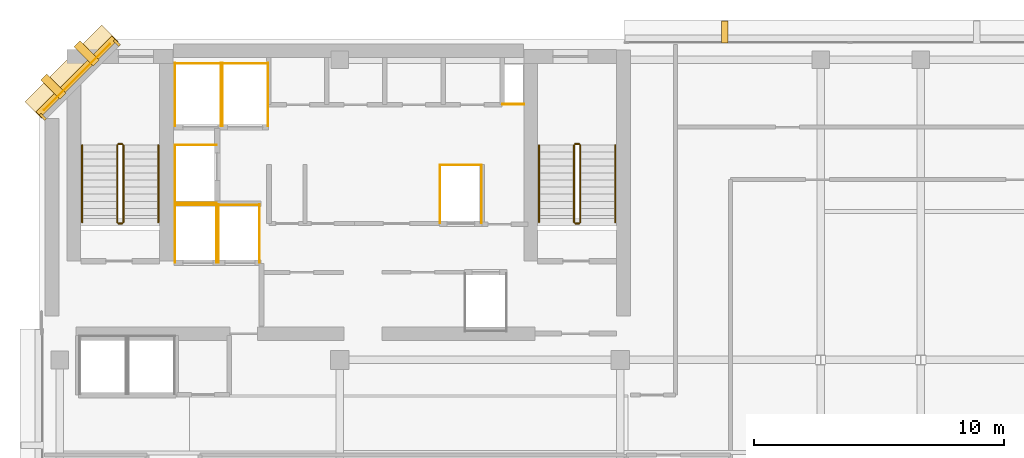
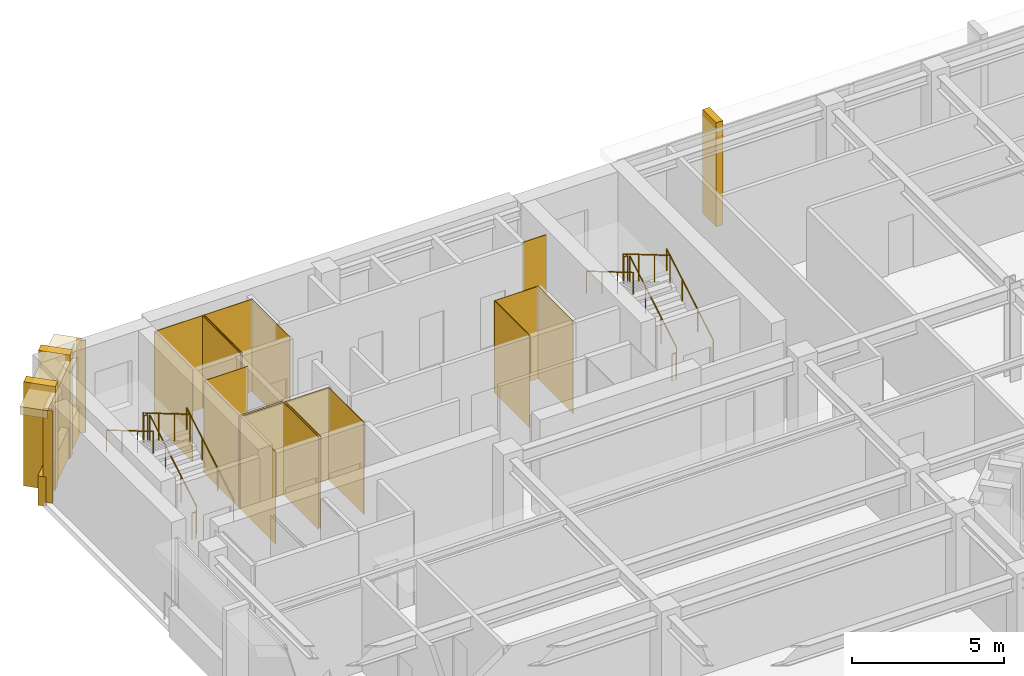
# One storey, part 10 of 11: 27 coverings, 12 railings.
"""IFC4 building model written with IfcOpenShell, lengths in metres."""

from ifc_helpers import new_model, si_unit, direction, frame, origin, origin_2d, place, context, subcontext, project, spatial, polyline, rectangle, circle, outline, extrude, material, layer, layer_set, type_object, element, save


model = new_model("IFC4")

# Units and contexts
model_context = context("Model", 3, precision=1e-05, world=origin(), true_north=direction((0.0, 1.0)))
body_context = subcontext(model_context, "Body", "Model", "MODEL_VIEW")
ifc_project = project(units=[si_unit("LENGTHUNIT", "METRE"), si_unit("AREAUNIT", "SQUARE_METRE"), si_unit("VOLUMEUNIT", "CUBIC_METRE"), si_unit("PLANEANGLEUNIT", "RADIAN"), si_unit("MASSUNIT", "GRAM", prefix="KILO")], contexts=[model_context])

# Site, building, storey
site_placement = place(None, origin())
site = spatial("IfcSite", under=ifc_project, at=site_placement, CompositionType="ELEMENT")
building_placement = place(site_placement, origin())
building = spatial("IfcBuilding", under=site, at=building_placement, Name="Kefirva Bronze Tower", CompositionType="ELEMENT")
storey_placement = place(building_placement, frame((0.0, 0.0, 343.530029296875)))
storey = spatial("IfcBuildingStorey", under=building, at=storey_placement, Name="L84", CompositionType="ELEMENT", Elevation=343.530029296875)

# Coverings
ifc_material_1 = material(Name="Bronze anodised aluminium", Category="aluminium")
ifc_layer_1 = layer(ifc_material_1, 0.02001953125, Name="Bronze anodised aluminium")
ifc_layer_set_1 = layer_set([ifc_layer_1], Name="Bronze anodised aluminium")
covering_type_1 = type_object("IfcCoveringType", Name="Anodised Bronze Spandrel Cladding 20mm", PredefinedType="CLADDING", material=ifc_layer_set_1)
covering_1_placement = place(storey_placement, frame((1.492919921875, 44.507080078125, 3.2900390625), z_axis=(0.0, 0.0, 1.0), x_axis=(-0.707106781187, -0.707106781187, 0.0)))
element("IfcCovering", 1, at=covering_1_placement, inside=storey, type_object=covering_type_1, Name="L84 Bronze Spandrel Cladding 6", PredefinedType="CLADDING", context=body_context, shape_type="SweptSolid", body=[
    extrude(rectangle(XDim=3.719482421875, YDim=0.02001953125, at=origin_2d()), origin(), (0.0, 0.0, 1.0), 0.39990234375),
])
for number, where, z_axis, x_axis, name in (
    (2, (3.08837890625, 45.862060546875, 0.0), (0.0, 0.0, 1.0), (-0.707106781187, -0.707106781187, 0.0), "L84 Facade Joint Closure Panel 6S"),
    (3, (0.137939453125, 42.91162109375, 0.0), (0.0, 0.0, 1.0), (-0.707106781187, -0.707106781187, 0.0), "L84 Facade Joint Closure Panel 6E"),
):
    element("IfcCovering", number, at=place(storey_placement, frame(where, z_axis=z_axis, x_axis=x_axis)), inside=storey, type_object=covering_type_1, Name=name, PredefinedType="CLADDING", context=body_context, shape_type="SweptSolid", body=[
        extrude(rectangle(XDim=0.10009765625, YDim=0.320068359375, at=origin_2d()), origin(), (0.0, 0.0, 1.0), 3.7099609375),
    ])
covering_2_placement = place(storey_placement, frame((1.4716796875, 44.5283203125, -0.16015625), z_axis=(0.0, 0.0, 1.0), x_axis=(-0.707106781187, -0.707106781187, 0.0)))
element("IfcCovering", 4, at=covering_2_placement, inside=storey, type_object=covering_type_1, Name="L84 Streamline Horizontal Spandrel Band 9", PredefinedType="CLADDING", context=body_context, shape_type="SweptSolid", body=[
    extrude(rectangle(XDim=4.28271484375, YDim=0.280029296875, at=origin_2d()), origin(), (0.0, 0.0, 1.0), 1.179931640625),
])
covering_3_placement = place(storey_placement, origin())
element("IfcCovering", 5, at=covering_3_placement, inside=storey, type_object=covering_type_1, Name="L84 Lift FF1 Hoistway Liner N", PredefinedType="CLADDING", context=body_context, shape_type="SweptSolid", body=[
    extrude(outline(polyline([(5.39990234375, 39.389892578125), (7.080078125, 39.389892578125), (7.080078125, 39.409912109375), (5.39990234375, 39.409912109375), (5.39990234375, 39.389892578125)])), origin(), (0.0, 0.0, 1.0), 3.7099609375),
])
covering_4_placement = place(storey_placement, origin())
element("IfcCovering", 6, at=covering_4_placement, inside=storey, type_object=covering_type_1, Name="L84 Lift FF1 Hoistway Liner W", PredefinedType="CLADDING", context=body_context, shape_type="SweptSolid", body=[
    extrude(outline(polyline([(5.409912109375, 37.080078125), (5.429931640625, 37.080078125), (5.429931640625, 39.419921875), (5.409912109375, 39.419921875), (5.409912109375, 37.080078125)])), origin(), (0.0, 0.0, 1.0), 3.7099609375),
])
covering_5_placement = place(storey_placement, origin())
element("IfcCovering", 7, at=covering_5_placement, inside=storey, type_object=covering_type_1, Name="L84 Lift FF1 Hoistway Liner E", PredefinedType="CLADDING", context=body_context, shape_type="SweptSolid", body=[
    extrude(outline(polyline([(7.050048828125, 37.080078125), (7.070068359375, 37.080078125), (7.070068359375, 39.419921875), (7.050048828125, 39.419921875), (7.050048828125, 37.080078125)])), origin(), (0.0, 0.0, 1.0), 3.7099609375),
])
covering_6_placement = place(storey_placement, origin())
element("IfcCovering", 8, at=covering_6_placement, inside=storey, type_object=covering_type_1, Name="L84 Lift FF2 Hoistway Liner N", PredefinedType="CLADDING", context=body_context, shape_type="SweptSolid", body=[
    extrude(outline(polyline([(7.1201171875, 39.389892578125), (8.800048828125, 39.389892578125), (8.800048828125, 39.409912109375), (7.1201171875, 39.409912109375), (7.1201171875, 39.389892578125)])), origin(), (0.0, 0.0, 1.0), 3.7099609375),
])
covering_7_placement = place(storey_placement, origin())
element("IfcCovering", 9, at=covering_7_placement, inside=storey, type_object=covering_type_1, Name="L84 Lift FF2 Hoistway Liner W", PredefinedType="CLADDING", context=body_context, shape_type="SweptSolid", body=[
    extrude(outline(polyline([(7.1298828125, 37.080078125), (7.14990234375, 37.080078125), (7.14990234375, 39.419921875), (7.1298828125, 39.419921875), (7.1298828125, 37.080078125)])), origin(), (0.0, 0.0, 1.0), 3.7099609375),
])
covering_8_placement = place(storey_placement, origin())
element("IfcCovering", 10, at=covering_8_placement, inside=storey, type_object=covering_type_1, Name="L84 Lift FF2 Hoistway Liner E", PredefinedType="CLADDING", context=body_context, shape_type="SweptSolid", body=[
    extrude(outline(polyline([(8.77001953125, 37.080078125), (8.7900390625, 37.080078125), (8.7900390625, 39.419921875), (8.77001953125, 39.419921875), (8.77001953125, 37.080078125)])), origin(), (0.0, 0.0, 1.0), 3.7099609375),
])
covering_9_placement = place(storey_placement, origin())
element("IfcCovering", 11, at=covering_9_placement, inside=storey, type_object=covering_type_1, Name="L84 Lift SV1 Hoistway Liner N", PredefinedType="CLADDING", context=body_context, shape_type="SweptSolid", body=[
    extrude(outline(polyline([(5.39990234375, 45.0400390625), (7.260009765625, 45.0400390625), (7.260009765625, 45.06005859375), (5.39990234375, 45.06005859375), (5.39990234375, 45.0400390625)])), origin(), (0.0, 0.0, 1.0), 3.7099609375),
])
covering_10_placement = place(storey_placement, origin())
element("IfcCovering", 12, at=covering_10_placement, inside=storey, type_object=covering_type_1, Name="L84 Lift SV1 Hoistway Liner W", PredefinedType="CLADDING", context=body_context, shape_type="SweptSolid", body=[
    extrude(outline(polyline([(5.409912109375, 42.530029296875), (5.429931640625, 42.530029296875), (5.429931640625, 45.070068359375), (5.409912109375, 45.070068359375), (5.409912109375, 42.530029296875)])), origin(), (0.0, 0.0, 1.0), 3.7099609375),
])
covering_11_placement = place(storey_placement, origin())
element("IfcCovering", 13, at=covering_11_placement, inside=storey, type_object=covering_type_1, Name="L84 Lift SV1 Hoistway Liner E", PredefinedType="CLADDING", context=body_context, shape_type="SweptSolid", body=[
    extrude(outline(polyline([(7.22998046875, 42.530029296875), (7.25, 42.530029296875), (7.25, 45.070068359375), (7.22998046875, 45.070068359375), (7.22998046875, 42.530029296875)])), origin(), (0.0, 0.0, 1.0), 3.7099609375),
])
covering_12_placement = place(storey_placement, origin())
element("IfcCovering", 14, at=covering_12_placement, inside=storey, type_object=covering_type_1, Name="L84 Lift SV2 Hoistway Liner N", PredefinedType="CLADDING", context=body_context, shape_type="SweptSolid", body=[
    extrude(outline(polyline([(7.280029296875, 45.0400390625), (9.139892578125, 45.0400390625), (9.139892578125, 45.06005859375), (7.280029296875, 45.06005859375), (7.280029296875, 45.0400390625)])), origin(), (0.0, 0.0, 1.0), 3.7099609375),
])
covering_13_placement = place(storey_placement, origin())
element("IfcCovering", 15, at=covering_13_placement, inside=storey, type_object=covering_type_1, Name="L84 Lift SV2 Hoistway Liner W", PredefinedType="CLADDING", context=body_context, shape_type="SweptSolid", body=[
    extrude(outline(polyline([(7.2900390625, 42.530029296875), (7.31005859375, 42.530029296875), (7.31005859375, 45.070068359375), (7.2900390625, 45.070068359375), (7.2900390625, 42.530029296875)])), origin(), (0.0, 0.0, 1.0), 3.7099609375),
])
covering_14_placement = place(storey_placement, origin())
element("IfcCovering", 16, at=covering_14_placement, inside=storey, type_object=covering_type_1, Name="L84 Lift SV2 Hoistway Liner E", PredefinedType="CLADDING", context=body_context, shape_type="SweptSolid", body=[
    extrude(outline(polyline([(9.110107421875, 42.530029296875), (9.1298828125, 42.530029296875), (9.1298828125, 45.070068359375), (9.110107421875, 45.070068359375), (9.110107421875, 42.530029296875)])), origin(), (0.0, 0.0, 1.0), 3.7099609375),
])
covering_15_placement = place(storey_placement, origin())
element("IfcCovering", 17, at=covering_15_placement, inside=storey, type_object=covering_type_1, Name="L84 Lift HP2 Hoistway Liner N", PredefinedType="CLADDING", context=body_context, shape_type="SweptSolid", body=[
    extrude(outline(polyline([(15.97998046875, 40.969970703125), (17.669921875, 40.969970703125), (17.669921875, 40.989990234375), (15.97998046875, 40.989990234375), (15.97998046875, 40.969970703125)])), origin(), (0.0, 0.0, 1.0), 3.7099609375),
])
covering_16_placement = place(storey_placement, origin())
element("IfcCovering", 18, at=covering_16_placement, inside=storey, type_object=covering_type_1, Name="L84 Lift HP2 Hoistway Liner W", PredefinedType="CLADDING", context=body_context, shape_type="SweptSolid", body=[
    extrude(outline(polyline([(15.989990234375, 38.659912109375), (16.010009765625, 38.659912109375), (16.010009765625, 41.0), (15.989990234375, 41.0), (15.989990234375, 38.659912109375)])), origin(), (0.0, 0.0, 1.0), 3.7099609375),
])
covering_17_placement = place(storey_placement, origin())
element("IfcCovering", 19, at=covering_17_placement, inside=storey, type_object=covering_type_1, Name="L84 Lift HP2 Hoistway Liner E", PredefinedType="CLADDING", context=body_context, shape_type="SweptSolid", body=[
    extrude(outline(polyline([(17.639892578125, 38.659912109375), (17.659912109375, 38.659912109375), (17.659912109375, 41.0), (17.639892578125, 41.0), (17.639892578125, 38.659912109375)])), origin(), (0.0, 0.0, 1.0), 3.7099609375),
])
covering_18_placement = place(storey_placement, origin())
element("IfcCovering", 20, at=covering_18_placement, inside=storey, type_object=covering_type_1, Name="L84 Lift HP3 Hoistway Liner N", PredefinedType="CLADDING", context=body_context, shape_type="SweptSolid", body=[
    extrude(outline(polyline([(5.39990234375, 41.77001953125), (7.080078125, 41.77001953125), (7.080078125, 41.7900390625), (5.39990234375, 41.7900390625), (5.39990234375, 41.77001953125)])), origin(), (0.0, 0.0, 1.0), 3.7099609375),
])
covering_19_placement = place(storey_placement, origin())
element("IfcCovering", 21, at=covering_19_placement, inside=storey, type_object=covering_type_1, Name="L84 Lift HP3 Hoistway Liner S", PredefinedType="CLADDING", context=body_context, shape_type="SweptSolid", body=[
    extrude(outline(polyline([(5.39990234375, 39.469970703125), (7.080078125, 39.469970703125), (7.080078125, 39.489990234375), (5.39990234375, 39.489990234375), (5.39990234375, 39.469970703125)])), origin(), (0.0, 0.0, 1.0), 3.7099609375),
])
covering_20_placement = place(storey_placement, origin())
element("IfcCovering", 22, at=covering_20_placement, inside=storey, type_object=covering_type_1, Name="L84 Lift HP3 Hoistway Liner W", PredefinedType="CLADDING", context=body_context, shape_type="SweptSolid", body=[
    extrude(outline(polyline([(5.409912109375, 39.4599609375), (5.429931640625, 39.4599609375), (5.429931640625, 41.800048828125), (5.409912109375, 41.800048828125), (5.409912109375, 39.4599609375)])), origin(), (0.0, 0.0, 1.0), 3.7099609375),
])
covering_21_placement = place(storey_placement, origin())
element("IfcCovering", 23, at=covering_21_placement, inside=storey, type_object=covering_type_1, Name="L84 Core MEP Riser Shaft Liner South", PredefinedType="CLADDING", context=body_context, shape_type="SweptSolid", body=[
    extrude(outline(polyline([(18.47998046875, 43.39990234375), (19.360107421875, 43.39990234375), (19.360107421875, 43.429931640625), (18.47998046875, 43.429931640625), (18.47998046875, 43.39990234375)])), origin(), (0.0, 0.0, 1.0), 3.7099609375),
])

# Railings
ifc_material_2 = material(Name="Stainless steel 316", Category="steel")
railing_type_1 = type_object("IfcRailingType", Name="Interior Stair Guardrail 1100mm", PredefinedType="GUARDRAIL", material=ifc_material_2)
railing_1_placement = place(storey_placement, frame((3.35009765625, 38.699951171875, 0.1650390625)))
element("IfcRailing", 24, at=railing_1_placement, inside=storey, type_object=railing_type_1, Name="L84 ST-1 stair guard 1", PredefinedType="GUARDRAIL", context=body_context, shape_type="SweptSolid", body=[
    extrude(circle(Radius=0.02392578125, at=origin_2d()), frame((0.0, 0.0, 1.076171875), z_axis=(0.0, 0.861551262678, 0.507670583921), x_axis=(-1.0, 0.0, 0.0)), (0.0, 0.0, 1.0), 3.574951171875),
    extrude(circle(Radius=0.02099609375, at=origin_2d()), origin(), (0.0, 0.0, 1.0), 1.052001953125),
    extrude(circle(Radius=0.02099609375, at=origin_2d()), frame((0.0, 1.026611328125, 0.60498046875)), (0.0, 0.0, 1.0), 1.052001953125),
    extrude(circle(Radius=0.02099609375, at=origin_2d()), frame((0.0, 2.053466796875, 1.2099609375)), (0.0, 0.0, 1.0), 1.052001953125),
    extrude(circle(Radius=0.02099609375, at=origin_2d()), frame((0.0, 3.080078125, 1.81494140625)), (0.0, 0.0, 1.0), 1.052001953125),
])
railing_2_placement = place(storey_placement, frame((3.300048828125, 41.830078125, 1.97998046875)))
element("IfcRailing", 25, at=railing_2_placement, inside=storey, type_object=railing_type_1, Name="L84 ST-1 stair guard 2", PredefinedType="GUARDRAIL", context=body_context, shape_type="SweptSolid", body=[
    extrude(circle(Radius=0.02392578125, at=origin_2d()), frame((0.0, 0.0, 1.076171875), z_axis=(-1.0, 0.0, 0.0), x_axis=(0.0, -1.0, 0.0)), (0.0, 0.0, 1.0), 0.150146484375),
    extrude(circle(Radius=0.02099609375, at=origin_2d()), origin(), (0.0, 0.0, 1.0), 1.052001953125),
    extrude(circle(Radius=0.02099609375, at=origin_2d()), frame((-0.150146484375, 0.0, 0.0)), (0.0, 0.0, 1.0), 1.052001953125),
])
railing_3_placement = place(storey_placement, frame((3.10009765625, 41.780029296875, 2.14501953125)))
element("IfcRailing", 26, at=railing_3_placement, inside=storey, type_object=railing_type_1, Name="L84 ST-1 stair guard 3", PredefinedType="GUARDRAIL", context=body_context, shape_type="SweptSolid", body=[
    extrude(circle(Radius=0.02392578125, at=origin_2d()), frame((0.0, 0.0, 1.076171875), z_axis=(0.0, -0.861551262678, 0.507670583921), x_axis=(1.0, 0.0, 0.0)), (0.0, 0.0, 1.0), 3.574951171875),
    extrude(circle(Radius=0.02099609375, at=origin_2d()), origin(), (0.0, 0.0, 1.0), 1.052001953125),
    extrude(circle(Radius=0.02099609375, at=origin_2d()), frame((0.0, -1.026611328125, 0.60498046875)), (0.0, 0.0, 1.0), 1.052001953125),
    extrude(circle(Radius=0.02099609375, at=origin_2d()), frame((0.0, -2.053466796875, 1.2099609375)), (0.0, 0.0, 1.0), 1.052001953125),
    extrude(circle(Radius=0.02099609375, at=origin_2d()), frame((0.0, -3.080078125, 1.81494140625)), (0.0, 0.0, 1.0), 1.052001953125),
])
railing_4_placement = place(storey_placement, frame((3.300048828125, 38.64990234375, 0.0)))
element("IfcRailing", 27, at=railing_4_placement, inside=storey, type_object=railing_type_1, Name="L84 ST-1 stair guard 4", PredefinedType="GUARDRAIL", context=body_context, shape_type="SweptSolid", body=[
    extrude(circle(Radius=0.02392578125, at=origin_2d()), frame((0.0, 0.0, 1.076171875), z_axis=(-1.0, 0.0, 0.0), x_axis=(0.0, -1.0, 0.0)), (0.0, 0.0, 1.0), 0.150146484375),
    extrude(circle(Radius=0.02099609375, at=origin_2d()), origin(), (0.0, 0.0, 1.0), 1.052001953125),
    extrude(circle(Radius=0.02099609375, at=origin_2d()), frame((-0.150146484375, 0.0, 0.0)), (0.0, 0.0, 1.0), 1.052001953125),
])
railing_5_placement = place(storey_placement, frame((21.60009765625, 38.699951171875, 0.1650390625)))
element("IfcRailing", 28, at=railing_5_placement, inside=storey, type_object=railing_type_1, Name="L84 ST-2 stair guard 1", PredefinedType="GUARDRAIL", context=body_context, shape_type="SweptSolid", body=[
    extrude(circle(Radius=0.02392578125, at=origin_2d()), frame((0.0, 0.0, 1.076171875), z_axis=(0.0, 0.861551262678, 0.507670583921), x_axis=(-1.0, 0.0, 0.0)), (0.0, 0.0, 1.0), 3.574951171875),
    extrude(circle(Radius=0.02099609375, at=origin_2d()), origin(), (0.0, 0.0, 1.0), 1.052001953125),
    extrude(circle(Radius=0.02099609375, at=origin_2d()), frame((0.0, 1.026611328125, 0.60498046875)), (0.0, 0.0, 1.0), 1.052001953125),
    extrude(circle(Radius=0.02099609375, at=origin_2d()), frame((0.0, 2.053466796875, 1.2099609375)), (0.0, 0.0, 1.0), 1.052001953125),
    extrude(circle(Radius=0.02099609375, at=origin_2d()), frame((0.0, 3.080078125, 1.81494140625)), (0.0, 0.0, 1.0), 1.052001953125),
])
railing_6_placement = place(storey_placement, frame((21.550048828125, 41.830078125, 1.97998046875)))
element("IfcRailing", 29, at=railing_6_placement, inside=storey, type_object=railing_type_1, Name="L84 ST-2 stair guard 2", PredefinedType="GUARDRAIL", context=body_context, shape_type="SweptSolid", body=[
    extrude(circle(Radius=0.02392578125, at=origin_2d()), frame((0.0, 0.0, 1.076171875), z_axis=(-1.0, 0.0, 0.0), x_axis=(0.0, -1.0, 0.0)), (0.0, 0.0, 1.0), 0.150146484375),
    extrude(circle(Radius=0.02099609375, at=origin_2d()), origin(), (0.0, 0.0, 1.0), 1.052001953125),
    extrude(circle(Radius=0.02099609375, at=origin_2d()), frame((-0.150146484375, 0.0, 0.0)), (0.0, 0.0, 1.0), 1.052001953125),
])
railing_7_placement = place(storey_placement, frame((21.35009765625, 41.780029296875, 2.14501953125)))
element("IfcRailing", 30, at=railing_7_placement, inside=storey, type_object=railing_type_1, Name="L84 ST-2 stair guard 3", PredefinedType="GUARDRAIL", context=body_context, shape_type="SweptSolid", body=[
    extrude(circle(Radius=0.02392578125, at=origin_2d()), frame((0.0, 0.0, 1.076171875), z_axis=(0.0, -0.861551262678, 0.507670583921), x_axis=(1.0, 0.0, 0.0)), (0.0, 0.0, 1.0), 3.574951171875),
    extrude(circle(Radius=0.02099609375, at=origin_2d()), origin(), (0.0, 0.0, 1.0), 1.052001953125),
    extrude(circle(Radius=0.02099609375, at=origin_2d()), frame((0.0, -1.026611328125, 0.60498046875)), (0.0, 0.0, 1.0), 1.052001953125),
    extrude(circle(Radius=0.02099609375, at=origin_2d()), frame((0.0, -2.053466796875, 1.2099609375)), (0.0, 0.0, 1.0), 1.052001953125),
    extrude(circle(Radius=0.02099609375, at=origin_2d()), frame((0.0, -3.080078125, 1.81494140625)), (0.0, 0.0, 1.0), 1.052001953125),
])
railing_8_placement = place(storey_placement, frame((21.550048828125, 38.64990234375, 0.0)))
element("IfcRailing", 31, at=railing_8_placement, inside=storey, type_object=railing_type_1, Name="L84 ST-2 stair guard 4", PredefinedType="GUARDRAIL", context=body_context, shape_type="SweptSolid", body=[
    extrude(circle(Radius=0.02392578125, at=origin_2d()), frame((0.0, 0.0, 1.076171875), z_axis=(-1.0, 0.0, 0.0), x_axis=(0.0, -1.0, 0.0)), (0.0, 0.0, 1.0), 0.150146484375),
    extrude(circle(Radius=0.02099609375, at=origin_2d()), origin(), (0.0, 0.0, 1.0), 1.052001953125),
    extrude(circle(Radius=0.02099609375, at=origin_2d()), frame((-0.150146484375, 0.0, 0.0)), (0.0, 0.0, 1.0), 1.052001953125),
])
railing_type_2 = type_object("IfcRailingType", Name="Stair Pitch Handrail 900mm", PredefinedType="HANDRAIL", material=ifc_material_2)
railing_9_placement = place(storey_placement, frame((4.75, 38.699951171875, 0.1650390625)))
element("IfcRailing", 32, at=railing_9_placement, inside=storey, type_object=railing_type_2, Name="L84 ST-1 stair handrail 1", PredefinedType="HANDRAIL", context=body_context, shape_type="SweptSolid", body=[
    extrude(circle(Radius=0.02392578125, at=origin_2d()), frame((0.0, 0.0, 0.8759765625), z_axis=(0.0, 0.861551262678, 0.507670583921), x_axis=(-1.0, 0.0, 0.0)), (0.0, 0.0, 1.0), 3.574951171875),
    extrude(circle(Radius=0.02099609375, at=origin_2d()), origin(), (0.0, 0.0, 1.0), 0.851806640625),
    extrude(circle(Radius=0.02099609375, at=origin_2d()), frame((0.0, 1.026611328125, 0.60498046875)), (0.0, 0.0, 1.0), 0.851806640625),
    extrude(circle(Radius=0.02099609375, at=origin_2d()), frame((0.0, 2.053466796875, 1.2099609375)), (0.0, 0.0, 1.0), 0.851806640625),
    extrude(circle(Radius=0.02099609375, at=origin_2d()), frame((0.0, 3.080078125, 1.81494140625)), (0.0, 0.0, 1.0), 0.851806640625),
])
railing_10_placement = place(storey_placement, frame((1.699951171875, 41.780029296875, 2.14501953125)))
element("IfcRailing", 33, at=railing_10_placement, inside=storey, type_object=railing_type_2, Name="L84 ST-1 stair handrail 2", PredefinedType="HANDRAIL", context=body_context, shape_type="SweptSolid", body=[
    extrude(circle(Radius=0.02392578125, at=origin_2d()), frame((0.0, 0.0, 0.8759765625), z_axis=(0.0, -0.861551262678, 0.507670583921), x_axis=(1.0, 0.0, 0.0)), (0.0, 0.0, 1.0), 3.574951171875),
    extrude(circle(Radius=0.02099609375, at=origin_2d()), origin(), (0.0, 0.0, 1.0), 0.851806640625),
    extrude(circle(Radius=0.02099609375, at=origin_2d()), frame((0.0, -1.026611328125, 0.60498046875)), (0.0, 0.0, 1.0), 0.851806640625),
    extrude(circle(Radius=0.02099609375, at=origin_2d()), frame((0.0, -2.053466796875, 1.2099609375)), (0.0, 0.0, 1.0), 0.851806640625),
    extrude(circle(Radius=0.02099609375, at=origin_2d()), frame((0.0, -3.080078125, 1.81494140625)), (0.0, 0.0, 1.0), 0.851806640625),
])
railing_11_placement = place(storey_placement, frame((23.0, 38.699951171875, 0.1650390625)))
element("IfcRailing", 34, at=railing_11_placement, inside=storey, type_object=railing_type_2, Name="L84 ST-2 stair handrail 1", PredefinedType="HANDRAIL", context=body_context, shape_type="SweptSolid", body=[
    extrude(circle(Radius=0.02392578125, at=origin_2d()), frame((0.0, 0.0, 0.8759765625), z_axis=(0.0, 0.861551262678, 0.507670583921), x_axis=(-1.0, 0.0, 0.0)), (0.0, 0.0, 1.0), 3.574951171875),
    extrude(circle(Radius=0.02099609375, at=origin_2d()), origin(), (0.0, 0.0, 1.0), 0.851806640625),
    extrude(circle(Radius=0.02099609375, at=origin_2d()), frame((0.0, 1.026611328125, 0.60498046875)), (0.0, 0.0, 1.0), 0.851806640625),
    extrude(circle(Radius=0.02099609375, at=origin_2d()), frame((0.0, 2.053466796875, 1.2099609375)), (0.0, 0.0, 1.0), 0.851806640625),
    extrude(circle(Radius=0.02099609375, at=origin_2d()), frame((0.0, 3.080078125, 1.81494140625)), (0.0, 0.0, 1.0), 0.851806640625),
])
railing_12_placement = place(storey_placement, frame((19.949951171875, 41.780029296875, 2.14501953125)))
element("IfcRailing", 35, at=railing_12_placement, inside=storey, type_object=railing_type_2, Name="L84 ST-2 stair handrail 2", PredefinedType="HANDRAIL", context=body_context, shape_type="SweptSolid", body=[
    extrude(circle(Radius=0.02392578125, at=origin_2d()), frame((0.0, 0.0, 0.8759765625), z_axis=(0.0, -0.861551262678, 0.507670583921), x_axis=(1.0, 0.0, 0.0)), (0.0, 0.0, 1.0), 3.574951171875),
    extrude(circle(Radius=0.02099609375, at=origin_2d()), origin(), (0.0, 0.0, 1.0), 0.851806640625),
    extrude(circle(Radius=0.02099609375, at=origin_2d()), frame((0.0, -1.026611328125, 0.60498046875)), (0.0, 0.0, 1.0), 0.851806640625),
    extrude(circle(Radius=0.02099609375, at=origin_2d()), frame((0.0, -2.053466796875, 1.2099609375)), (0.0, 0.0, 1.0), 0.851806640625),
    extrude(circle(Radius=0.02099609375, at=origin_2d()), frame((0.0, -3.080078125, 1.81494140625)), (0.0, 0.0, 1.0), 0.851806640625),
])

# Coverings
ifc_layer_2 = layer(ifc_material_1, 0.179931640625, Name="Bronze anodised aluminium")
ifc_layer_set_2 = layer_set([ifc_layer_2], Name="Bronze anodised aluminium")
covering_type_2 = type_object("IfcCoveringType", Name="Streamline Bronze Sunshade Eyebrow Cladding 180mm", PredefinedType="CLADDING", material=ifc_layer_set_2)
covering_22_placement = place(storey_placement, frame((1.28076171875, 44.71923828125, 3.39013671875), z_axis=(0.0, 0.0, 1.0), x_axis=(-0.707106781187, -0.707106781187, 0.0)))
element("IfcCovering", 36, at=covering_22_placement, inside=storey, type_object=covering_type_2, Name="L84 Streamline Bronze Sunshade Eyebrow 9", PredefinedType="CLADDING", context=body_context, shape_type="SweptSolid", body=[
    extrude(rectangle(XDim=4.322509765625, YDim=0.93994140625, at=origin_2d()), origin(), (0.0, 0.0, 1.0), 0.320068359375),
])
ifc_layer_3 = layer(ifc_material_1, 0.260009765625, Name="Bronze anodised aluminium")
ifc_layer_set_3 = layer_set([ifc_layer_3], Name="Bronze anodised aluminium")
covering_type_3 = type_object("IfcCoveringType", Name="Unbroken Bronze Buttress Fin Cladding 260mm", PredefinedType="CLADDING", material=ifc_layer_set_3)
covering_23_placement = place(storey_placement, frame((27.364013671875, 46.300048828125, -0.22021484375), z_axis=(0.0, 0.0, 1.0), x_axis=(-1.0, 0.0, 0.0)))
element("IfcCovering", 37, at=covering_23_placement, inside=storey, type_object=covering_type_3, Name="L84 Unbroken Vertical Bronze Rib Fin 18", PredefinedType="CLADDING", context=body_context, shape_type="SweptSolid", body=[
    extrude(rectangle(XDim=0.260009765625, YDim=0.8798828125, at=origin_2d()), origin(), (0.0, 0.0, 1.0), 4.179931640625),
])
for number, where, z_axis, x_axis, name in (
    (38, (1.877197265625, 45.44287109375, -0.22021484375), (0.0, 0.0, 1.0), (-0.707106781187, -0.707106781187, 0.0), "L84 Chamfered Corner Buttress Fin Cladding 19"),
    (39, (0.55712890625, 44.122802734375, -0.22021484375), (0.0, 0.0, 1.0), (-0.707106781187, -0.707106781187, 0.0), "L84 Chamfered Corner Buttress Fin Cladding 20"),
):
    element("IfcCovering", number, at=place(storey_placement, frame(where, z_axis=z_axis, x_axis=x_axis)), inside=storey, type_object=covering_type_3, Name=name, PredefinedType="CLADDING", context=body_context, shape_type="SweptSolid", body=[
        extrude(rectangle(XDim=0.340087890625, YDim=1.080078125, at=origin_2d()), origin(), (0.0, 0.0, 1.0), 4.179931640625),
    ])

save(model, "model.ifc")
